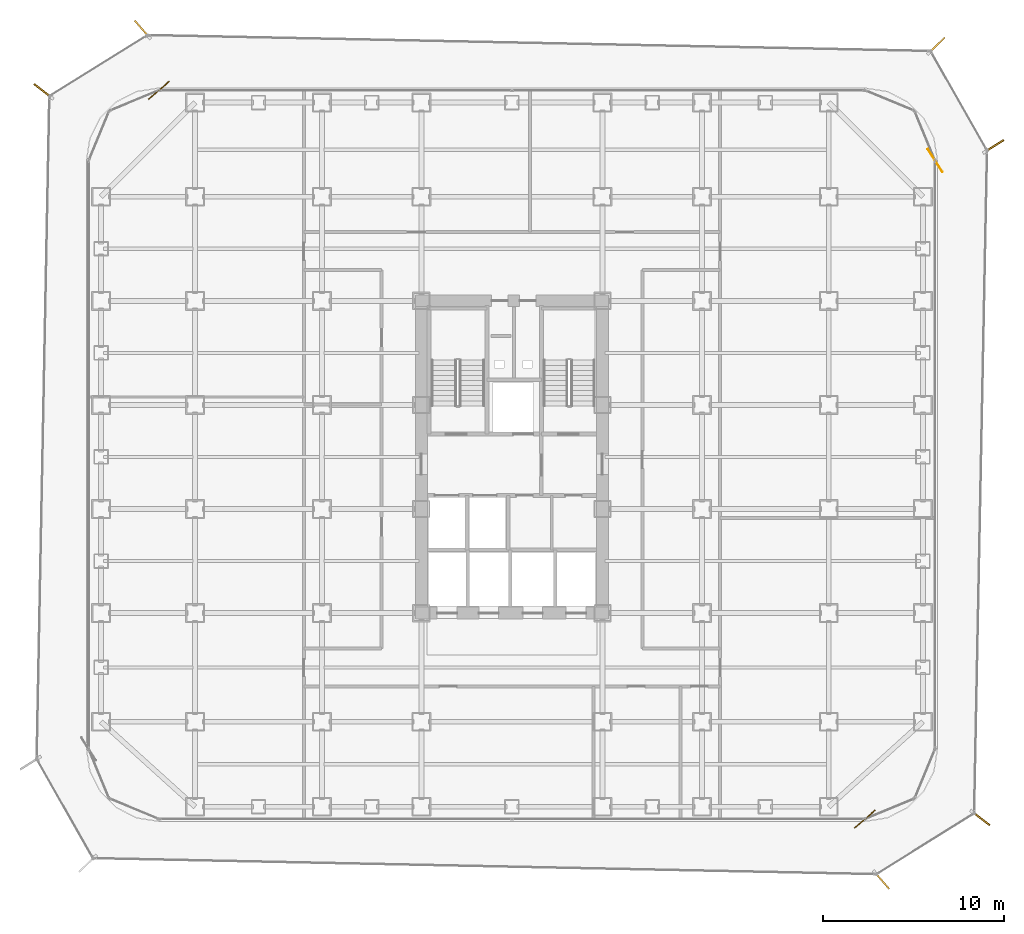
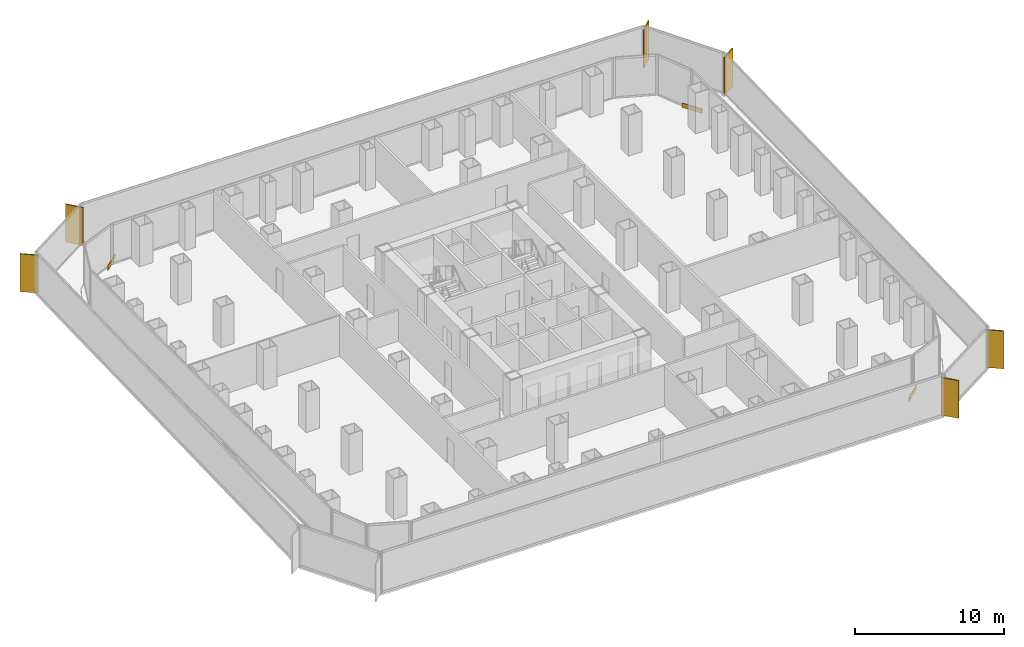
# One storey, part 21 of 21: 6 shading devices, 3 coverings.
"""IFC4 building model written with IfcOpenShell, lengths in metres."""

from ifc_helpers import new_model, si_unit, direction, frame, origin, origin_2d, place, context, subcontext, project, spatial, rectangle, extrude, source, transform, mapped, material, layer, layer_set, type_object, element, save


model = new_model("IFC4")

# Units and contexts
model_context = context("Model", 3, precision=1e-05, world=origin(), true_north=direction((0.0, 1.0)))
body_context = subcontext(model_context, "Body", "Model", "MODEL_VIEW")
ifc_project = project(units=[si_unit("LENGTHUNIT", "METRE"), si_unit("AREAUNIT", "SQUARE_METRE"), si_unit("VOLUMEUNIT", "CUBIC_METRE"), si_unit("PLANEANGLEUNIT", "RADIAN"), si_unit("MASSUNIT", "GRAM", prefix="KILO")], contexts=[model_context])

# Site, building, storey
site_placement = place(None, origin())
site = spatial("IfcSite", under=ifc_project, at=site_placement, CompositionType="ELEMENT")
building_placement = place(site_placement, origin())
building = spatial("IfcBuilding", under=site, at=building_placement, Name="Kolveth Station Tower", CompositionType="ELEMENT")
storey_placement = place(building_placement, frame((0.0, 0.0, 62.10009765625)))
storey = spatial("IfcBuildingStorey", under=building, at=storey_placement, Name="L16", CompositionType="ELEMENT", Elevation=62.10009765625)

# Shading devices
ifc_material_1 = material(Name="Black anodized aluminium 6063-T6", Category="aluminium")
shading_device_type = type_object("IfcShadingDeviceType", Name="FIN_VF1", PredefinedType="USERDEFINED", material=ifc_material_1)
shared_shape_1 = source(origin(), body_context, "Body", "SweptSolid", [
    extrude(rectangle(XDim=1.25, YDim=0.090087890625, at=origin_2d()), origin(), (0.0, 0.0, 1.0), 3.10009765625),
])
for number, where, z_axis, x_axis, name in (
    (1, (43.930908203125, -3.26611328125, -0.000244140625), (0.0, 0.0, 1.0), (0.655795545685, -0.754938542041, 0.0), "L16 Dark-Aluminium Solar Fin 1"),
    (2, (49.39697265625, 0.166015625, -0.000244140625), (0.0, 0.0, 1.0), (0.790155012376, -0.612907053653, 0.0), "L16 Dark-Aluminium Solar Fin 2"),
    (3, (50.132080078125, 37.298095703125, -0.000244140625), (0.0, 0.0, 1.0), (0.842264279204, 0.539064823539, 0.0), "L16 Dark-Aluminium Solar Fin 3"),
    (4, (46.9580078125, 42.85791015625, -0.000244140625), (0.0, 0.0, 1.0), (0.720066850328, 0.69390469883, 0.0), "L16 Dark-Aluminium Solar Fin 4"),
    (5, (3.070068359375, 43.763916015625, -0.000244140625), (0.0, 0.0, 1.0), (-0.655927297328, 0.754824072629, 0.0), "L16 Dark-Aluminium Solar Fin 5"),
    (6, (-2.402099609375, 40.3369140625, -0.000244140625), (0.0, 0.0, 1.0), (-0.790261972801, 0.612769136253, 0.0), "L16 Dark-Aluminium Solar Fin 6"),
):
    element("IfcShadingDevice", number, at=place(storey_placement, frame(where, z_axis=z_axis, x_axis=x_axis)), inside=storey, type_object=shading_device_type, Name=name, ObjectType="FIN", PredefinedType="USERDEFINED", context=body_context, shape_type="MappedRepresentation", body=[
        mapped(shared_shape_1, transform((0.0, 0.0, 0.0), x_axis=(1.0, 0.0, 0.0), y_axis=(0.0, 1.0, 0.0), z_axis=(0.0, 0.0, 1.0), scale=1.0)),
    ])

# Coverings
ifc_material_2 = material(Name="Charcoal anodized aluminium spandrel cladding", Category="aluminium")
ifc_layer = layer(ifc_material_2, 0.044921875)
ifc_layer_set = layer_set([ifc_layer], Name="Charcoal anodized aluminium spandrel cladding")
covering_type = type_object("IfcCoveringType", Name="Clad_CD1", PredefinedType="CLADDING", material=ifc_layer_set)
shared_shape_2 = source(origin(), body_context, "Body", "SweptSolid", [
    extrude(rectangle(XDim=1.5, YDim=0.044921875, at=origin_2d()), origin(), (0.0, 0.0, 1.0), 0.360107421875),
])
for number, where, z_axis, x_axis, name in (
    (7, (43.0, 0.1201171875, 0.0), (0.0, 0.0, 1.0), (0.754938542041, 0.655795545685, 0.0), "L16 Spandrel Edge Cladding 1"),
    (8, (46.8798828125, 36.5, 0.0), (0.0, 0.0, 1.0), (-0.539064823539, 0.842264279204, 0.0), "L16 Spandrel Edge Cladding 3"),
    (9, (4.0, 40.3798828125, 0.0), (0.0, 0.0, 1.0), (-0.754824072629, -0.655927297328, 0.0), "L16 Spandrel Edge Cladding 5"),
):
    element("IfcCovering", number, at=place(storey_placement, frame(where, z_axis=z_axis, x_axis=x_axis)), inside=storey, type_object=covering_type, Name=name, PredefinedType="CLADDING", context=body_context, shape_type="MappedRepresentation", body=[
        mapped(shared_shape_2, transform((0.0, 0.0, 0.0), x_axis=(1.0, 0.0, 0.0), y_axis=(0.0, 1.0, 0.0), z_axis=(0.0, 0.0, 1.0), scale=1.0)),
    ])

save(model, "model.ifc")
